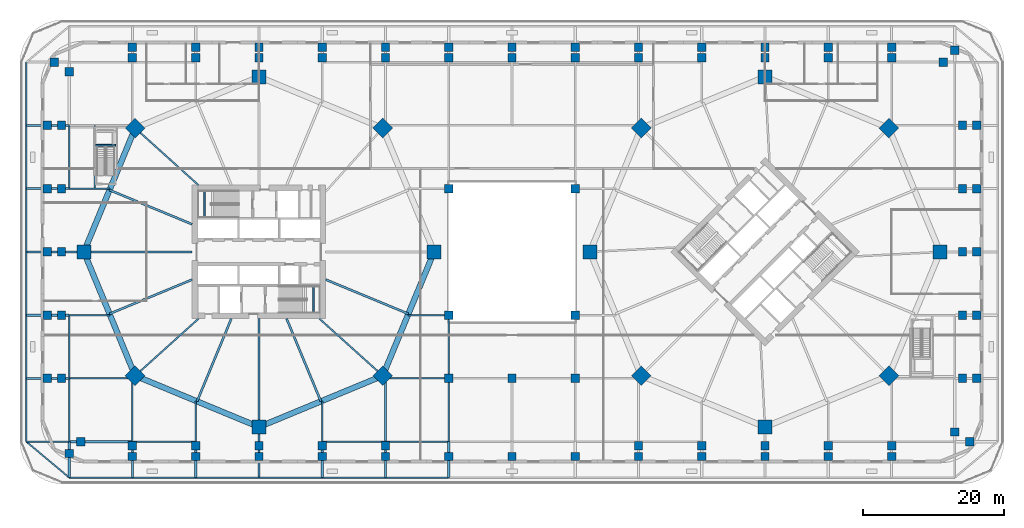
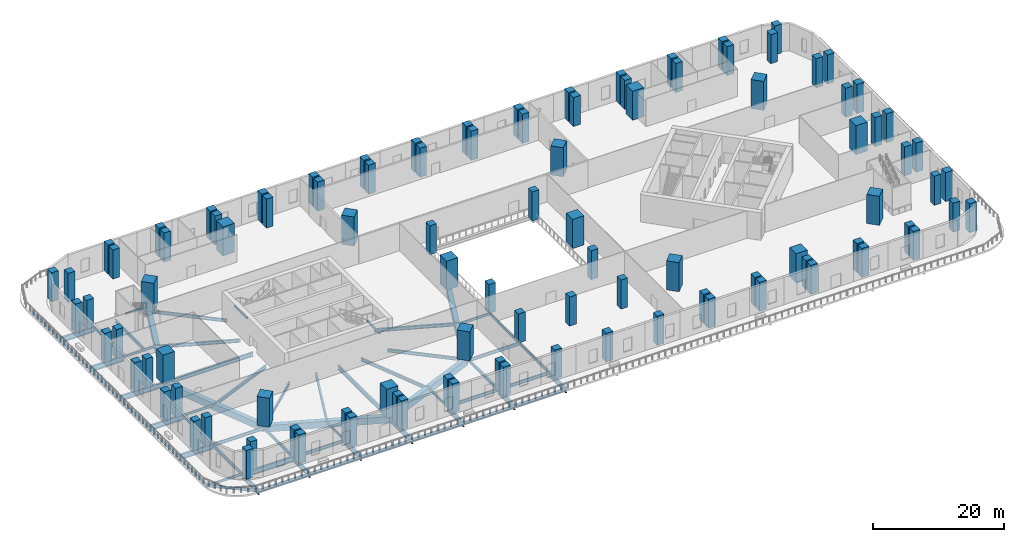
# One storey, part 1 of 19: 100 columns, 63 beams.
"""IFC4 building model written with IfcOpenShell, lengths in metres."""

import ifcopenshell
import ifcopenshell.guid

model = None  # the IFC model being written
_history = None  # IfcOwnerHistory: only IFC2X3 demands one
_inside = {}  # id of a spatial element -> (the spatial element, [elements in it])
_under = {}  # id of a project, library or spatial element -> (it, [spatial elements below it])
_declared = {}  # id of a project -> (the project, [libraries it declares])
_typed = {}  # id of a type object -> (the type object, [elements of that type])
_made_of = {}  # id of a material, layer set ... -> (it, [elements and type objects made of it])


def new_model(schema):
    """Start an empty IFC model of exactly this schema.

    Asked for "IFC4X3", IfcOpenShell would pick the latest addendum, in which some entities
    have other attributes; the version numbers below select the first issue.
    IFC2X3 requires an IfcOwnerHistory on every rooted entity: one is made here for all.
    """
    global model, _history
    if schema == "IFC4X3":
        model = ifcopenshell.file(schema_version=(4, 3, 0, 0))
    else:
        model = ifcopenshell.file(schema=schema)
    _inside.clear()
    _under.clear()
    _declared.clear()
    _typed.clear()
    _made_of.clear()
    _history = None
    if model.schema == "IFC2X3":
        org = make("IfcOrganization", Name="unknown")
        user = make(
            "IfcPersonAndOrganization",
            ThePerson=make("IfcPerson", FamilyName="unknown"),
            TheOrganization=org,
        )
        app = make(
            "IfcApplication",
            ApplicationDeveloper=org,
            Version="unknown",
            ApplicationFullName="unknown",
            ApplicationIdentifier="unknown",
        )
        _history = make(
            "IfcOwnerHistory",
            OwningUser=user,
            OwningApplication=app,
            ChangeAction="ADDED",
            CreationDate=0,
        )
    return model


def make(cls, **values):
    """One entity of the class cls with the attributes given. An attribute that is None is left unset."""
    return model.create_entity(
        cls, **{name: value for name, value in values.items() if value is not None}
    )


def rooted(cls, **values):
    """An entity with a GlobalId (a new one), such as an element, a storey or a relation."""
    return make(cls, GlobalId=ifcopenshell.guid.new(), OwnerHistory=_history, **values)


def si_unit(unit_type, name, prefix=None):
    """IfcSIUnit, for example si_unit("LENGTHUNIT", "METRE", prefix="MILLI")."""
    return make("IfcSIUnit", UnitType=unit_type, Prefix=prefix, Name=name)


def assignment(units):
    """IfcUnitAssignment: the units of a project."""
    return None if units is None else make("IfcUnitAssignment", Units=units)


def point(xyz):
    """IfcCartesianPoint."""
    return None if xyz is None else make("IfcCartesianPoint", Coordinates=xyz)


def direction(xyz):
    """IfcDirection."""
    return None if xyz is None else make("IfcDirection", DirectionRatios=xyz)


def frame(location, z_axis=None, x_axis=None):
    """IfcAxis2Placement3D, a coordinate frame: its origin and axes. An axis left out is left unset."""
    return make(
        "IfcAxis2Placement3D",
        Location=point(location),
        Axis=direction(z_axis),
        RefDirection=direction(x_axis),
    )


def frame_2d(location, x_axis=None):
    """IfcAxis2Placement2D, a coordinate frame in the plane: its origin and x axis."""
    return make(
        "IfcAxis2Placement2D", Location=point(location), RefDirection=direction(x_axis)
    )


def origin():
    """The frame at (0, 0, 0) with its axes left unset."""
    return frame((0.0, 0.0, 0.0))


def origin_2d():
    """The frame at (0, 0) in the plane with its x axis left unset."""
    return frame_2d((0.0, 0.0))


def place(relative_to, where):
    """IfcLocalPlacement: puts the frame where relative to a parent placement (None: the world)."""
    return make(
        "IfcLocalPlacement", PlacementRelTo=relative_to, RelativePlacement=where
    )


def context(
    kind, dimensions, precision=None, world=None, true_north=None, identifier=None
):
    """IfcGeometricRepresentationContext, for example the 3D "Model" context."""
    return make(
        "IfcGeometricRepresentationContext",
        ContextIdentifier=identifier,
        ContextType=kind,
        CoordinateSpaceDimension=dimensions,
        Precision=precision,
        WorldCoordinateSystem=world,
        TrueNorth=true_north,
    )


def subcontext(parent, identifier, kind, view, scale=None):
    """IfcGeometricRepresentationSubContext, for example "Body" below "Model"."""
    return make(
        "IfcGeometricRepresentationSubContext",
        ContextIdentifier=identifier,
        ContextType=kind,
        ParentContext=parent,
        TargetScale=scale,
        TargetView=view,
    )


def project(units=None, contexts=None):
    """IfcProject with its units and contexts."""
    return rooted(
        "IfcProject",
        Name="project",
        RepresentationContexts=contexts,
        UnitsInContext=assignment(units),
    )


def spatial(cls, under=None, at=None, **own):
    """A site, building, storey or space (cls), placed at a placement, below another one or the project."""
    s = rooted(cls, ObjectPlacement=at, **own)
    if under is not None:
        _under.setdefault(under.id(), (under, []))[1].append(s)
    return s


def profile(cls, at=None, kind="AREA", **sizes):
    """A parametric profile (cls). Its sizes go by their IFC names, for example OverallWidth=200.0."""
    return make(cls, ProfileType=kind, Position=at, **sizes)


def rectangle(**sizes):
    """IfcRectangleProfileDef."""
    return profile("IfcRectangleProfileDef", **sizes)


def hollow_rectangle(**sizes):
    """IfcRectangleHollowProfileDef."""
    return profile("IfcRectangleHollowProfileDef", **sizes)


def i_section(**sizes):
    """IfcIShapeProfileDef."""
    return profile("IfcIShapeProfileDef", **sizes)


def extrude(swept, where, along, depth):
    """IfcExtrudedAreaSolid: the profile swept, set in the frame where, extruded along a direction by depth."""
    return make(
        "IfcExtrudedAreaSolid",
        SweptArea=swept,
        Position=where,
        ExtrudedDirection=direction(along),
        Depth=depth,
    )


def shape(context_of_items, identifier, shape_type, items):
    """IfcShapeRepresentation: the items that make up one representation, for example the "Body"."""
    return make(
        "IfcShapeRepresentation",
        ContextOfItems=context_of_items,
        RepresentationIdentifier=identifier,
        RepresentationType=shape_type,
        Items=items,
    )


def material(Name=None, Category=None):
    """IfcMaterial."""
    return make("IfcMaterial", Name=Name, Category=Category)


def material_profile(
    of_material, cross_section, Name=None, Category=None, Priority=None
):
    """IfcMaterialProfile: a cross section and its material."""
    return make(
        "IfcMaterialProfile",
        Name=Name,
        Material=of_material,
        Profile=cross_section,
        Priority=Priority,
        Category=Category,
    )


def profile_set(profiles, Name=None, composite=None):
    """IfcMaterialProfileSet."""
    return make(
        "IfcMaterialProfileSet",
        Name=Name,
        MaterialProfiles=profiles,
        CompositeProfile=composite,
    )


def made_of(thing, what):
    """Note that an element or type object is made of a material, layer set ...; save() writes the relation."""
    if what is not None:
        _made_of.setdefault(what.id(), (what, []))[1].append(thing)
    return thing


def type_object(cls, material=None, **own):
    """A type object (cls), such as IfcWallType, which elements share."""
    return made_of(rooted(cls, **own), material)


def element(
    cls,
    number,
    at=None,
    inside=None,
    cuts=None,
    type_object=None,
    material=None,
    context=None,
    identifier="Body",
    shape_type=None,
    held_by="IfcProductDefinitionShape",
    body=None,
    shapes=None,
    **own,
):
    """One element of the class cls, such as IfcWall. Its Tag is "e" and its number.

    at: its placement. inside: the storey or other place that contains it. cuts: it is an
    opening in that element (IfcRelVoidsElement). A single representation is given by context,
    identifier, shape_type and body (its items); several are given by shapes. held_by: the class
    of the entity that holds the representations. save() writes the other relations.
    """
    e = rooted(cls, Tag="e%d" % number, ObjectPlacement=at, **own)
    if body is not None:
        shapes = [shape(context, identifier, shape_type, body)]
    if shapes is not None:
        e.Representation = make(held_by, Representations=shapes)
    if inside is not None:
        _inside.setdefault(inside.id(), (inside, []))[1].append(e)
    if cuts is not None:
        rooted(
            "IfcRelVoidsElement", RelatingBuildingElement=cuts, RelatedOpeningElement=e
        )
    if type_object is not None:
        _typed.setdefault(type_object.id(), (type_object, []))[1].append(e)
    return made_of(e, material)


def aggregate(whole, parts):
    """IfcRelAggregates: a whole, such as a stair, and the parts it consists of."""
    return rooted("IfcRelAggregates", RelatingObject=whole, RelatedObjects=parts)


def save(model, path):
    """Write the relations noted so far, then the file.

    IfcRelAggregates (storeys below a building ...), IfcRelContainedInSpatialStructure (elements
    in a storey), IfcRelDefinesByType, IfcRelAssociatesMaterial and IfcRelDeclares: one each for
    every whole, place, type object, material and project.
    """
    for whole, parts in _under.values():
        aggregate(whole, parts)
    for where, things in _inside.values():
        rooted(
            "IfcRelContainedInSpatialStructure",
            RelatedElements=things,
            RelatingStructure=where,
        )
    for kind, things in _typed.values():
        rooted("IfcRelDefinesByType", RelatedObjects=things, RelatingType=kind)
    for what, things in _made_of.values():
        rooted("IfcRelAssociatesMaterial", RelatedObjects=things, RelatingMaterial=what)
    for by, libraries in _declared.values():
        rooted("IfcRelDeclares", RelatingContext=by, RelatedDefinitions=libraries)
    model.write(path)


model = new_model("IFC4")

# Units and contexts
model_context = context("Model", 3, precision=1e-05, world=origin(), true_north=direction((0.0, 1.0)))
body_context = subcontext(model_context, "Body", "Model", "MODEL_VIEW")
ifc_project = project(units=[si_unit("LENGTHUNIT", "METRE"), si_unit("AREAUNIT", "SQUARE_METRE"), si_unit("VOLUMEUNIT", "CUBIC_METRE"), si_unit("PLANEANGLEUNIT", "RADIAN"), si_unit("MASSUNIT", "GRAM", prefix="KILO")], contexts=[model_context])

# Site, building, storey
site_placement = place(None, origin())
site = spatial("IfcSite", under=ifc_project, at=site_placement, CompositionType="ELEMENT")
building_placement = place(site_placement, origin())
building = spatial("IfcBuilding", under=site, at=building_placement, Name="Ogive Gate Towers", CompositionType="ELEMENT")
storey_placement = place(building_placement, frame((0.0, 0.0, 12.60009765625)))
storey = spatial("IfcBuildingStorey", under=building, at=storey_placement, Name="L02", CompositionType="ELEMENT", Elevation=12.60009765625)

# Columns
ifc_material_1 = material(Name="Concrete C50/60", Category="concrete")
ifc_material_profile_1 = material_profile(ifc_material_1, rectangle(XDim=1.199951171875, YDim=1.199951171875, at=origin_2d()), Name="RC 1200x1200")
ifc_profile_set_1 = profile_set([ifc_material_profile_1], Name="Concrete C50/60")
column_type_1 = type_object("IfcColumnType", Name="Column RC 1200x1200", PredefinedType="COLUMN", material=ifc_profile_set_1)
for number, where, z_axis, x_axis, name in (
    (1, (-66.10009765625, -18.0, 0.0), (0.0, 0.0, 1.0), (1.0, 0.0, 0.0), "PD/L02/SCL001"),
    (2, (-66.10009765625, -9.0, 0.0), (0.0, 0.0, 1.0), (1.0, 0.0, 0.0), "PD/L02/SCL002"),
    (3, (-66.10009765625, 0.0, 0.0), (0.0, 0.0, 1.0), (1.0, 0.0, 0.0), "PD/L02/SCL003"),
    (4, (-66.10009765625, 9.0, 0.0), (0.0, 0.0, 1.0), (1.0, 0.0, 0.0), "PD/L02/SCL004"),
    (5, (-66.10009765625, 18.0, 0.0), (0.0, 0.0, 1.0), (1.0, 0.0, 0.0), "PD/L02/SCL005"),
    (6, (-65.09814453125, 27.0, 0.0), (0.0, 0.0, 1.0), (1.0, 0.0, 0.0), "PD/L02/SCL006"),
    (7, (-64.10009765625, -18.0, 0.0), (0.0, 0.0, 1.0), (1.0, 0.0, 0.0), "PD/L02/SCL007"),
    (8, (-64.10009765625, -9.0, 0.0), (0.0, 0.0, 1.0), (1.0, 0.0, 0.0), "PD/L02/SCL008"),
    (9, (-64.10009765625, 0.0, 0.0), (0.0, 0.0, 1.0), (1.0, 0.0, 0.0), "PD/L02/SCL009"),
    (10, (-64.10009765625, 9.0, 0.0), (0.0, 0.0, 1.0), (1.0, 0.0, 0.0), "PD/L02/SCL010"),
    (11, (-64.10009765625, 18.0, 0.0), (0.0, 0.0, 1.0), (1.0, 0.0, 0.0), "PD/L02/SCL011"),
    (12, (-63.0, -28.680908203125, 0.0), (0.0, 0.0, 1.0), (1.0, 0.0, 0.0), "PD/L02/SCL012"),
    (13, (-63.0, 25.61962890625, 0.0), (0.0, 0.0, 1.0), (1.0, 0.0, 0.0), "PD/L02/SCL013"),
    (14, (-61.338623046875, -27.0, 0.0), (0.0, 0.0, 1.0), (1.0, 0.0, 0.0), "PD/L02/SCL014"),
    (15, (-54.0, -29.10009765625, 0.0), (0.0, 0.0, 1.0), (1.0, 0.0, 0.0), "PD/L02/SCL015"),
    (16, (-54.0, -27.60009765625, 0.0), (0.0, 0.0, 1.0), (1.0, 0.0, 0.0), "PD/L02/SCL016"),
    (17, (-54.0, 27.60009765625, 0.0), (0.0, 0.0, 1.0), (1.0, 0.0, 0.0), "PD/L02/SCL017"),
    (18, (-54.0, 29.10009765625, 0.0), (0.0, 0.0, 1.0), (1.0, 0.0, 0.0), "PD/L02/SCL018"),
    (19, (-45.0, -29.10009765625, 0.0), (0.0, 0.0, 1.0), (1.0, 0.0, 0.0), "PD/L02/SCL019"),
    (20, (-45.0, -27.60009765625, 0.0), (0.0, 0.0, 1.0), (1.0, 0.0, 0.0), "PD/L02/SCL020"),
    (21, (-45.0, 27.60009765625, 0.0), (0.0, 0.0, 1.0), (1.0, 0.0, 0.0), "PD/L02/SCL021"),
    (22, (-45.0, 29.10009765625, 0.0), (0.0, 0.0, 1.0), (1.0, 0.0, 0.0), "PD/L02/SCL022"),
    (23, (-36.0, -29.10009765625, 0.0), (0.0, 0.0, 1.0), (1.0, 0.0, 0.0), "PD/L02/SCL023"),
    (24, (-36.0, -27.60009765625, 0.0), (0.0, 0.0, 1.0), (1.0, 0.0, 0.0), "PD/L02/SCL024"),
    (25, (-36.0, 27.60009765625, 0.0), (0.0, 0.0, 1.0), (1.0, 0.0, 0.0), "PD/L02/SCL025"),
    (26, (-36.0, 29.10009765625, 0.0), (0.0, 0.0, 1.0), (1.0, 0.0, 0.0), "PD/L02/SCL026"),
    (27, (-27.0, -29.10009765625, 0.0), (0.0, 0.0, 1.0), (1.0, 0.0, 0.0), "PD/L02/SCL027"),
    (28, (-27.0, -27.60009765625, 0.0), (0.0, 0.0, 1.0), (1.0, 0.0, 0.0), "PD/L02/SCL028"),
    (29, (-27.0, 27.60009765625, 0.0), (0.0, 0.0, 1.0), (1.0, 0.0, 0.0), "PD/L02/SCL029"),
    (30, (-27.0, 29.10009765625, 0.0), (0.0, 0.0, 1.0), (1.0, 0.0, 0.0), "PD/L02/SCL030"),
    (31, (-18.0, -29.10009765625, 0.0), (0.0, 0.0, 1.0), (1.0, 0.0, 0.0), "PD/L02/SCL031"),
    (32, (-18.0, -27.60009765625, 0.0), (0.0, 0.0, 1.0), (1.0, 0.0, 0.0), "PD/L02/SCL032"),
    (33, (-18.0, 27.60009765625, 0.0), (0.0, 0.0, 1.0), (1.0, 0.0, 0.0), "PD/L02/SCL033"),
    (34, (-18.0, 29.10009765625, 0.0), (0.0, 0.0, 1.0), (1.0, 0.0, 0.0), "PD/L02/SCL034"),
    (35, (-9.0, -29.10009765625, 0.0), (0.0, 0.0, 1.0), (1.0, 0.0, 0.0), "PD/L02/SCL035"),
    (36, (-9.0, -18.0, 0.0), (0.0, 0.0, 1.0), (1.0, 0.0, 0.0), "PD/L02/SCL036"),
    (37, (-9.0, -9.0, 0.0), (0.0, 0.0, 1.0), (1.0, 0.0, 0.0), "PD/L02/SCL037"),
    (38, (-9.0, 9.0, 0.0), (0.0, 0.0, 1.0), (1.0, 0.0, 0.0), "PD/L02/SCL038"),
    (39, (-9.0, 27.60009765625, 0.0), (0.0, 0.0, 1.0), (1.0, 0.0, 0.0), "PD/L02/SCL039"),
    (40, (-9.0, 29.10009765625, 0.0), (0.0, 0.0, 1.0), (1.0, 0.0, 0.0), "PD/L02/SCL040"),
    (41, (0.0, -29.10009765625, 0.0), (0.0, 0.0, 1.0), (1.0, 0.0, 0.0), "PD/L02/SCL041"),
    (42, (0.0, -18.0, 0.0), (0.0, 0.0, 1.0), (1.0, 0.0, 0.0), "PD/L02/SCL042"),
    (43, (0.0, 27.60009765625, 0.0), (0.0, 0.0, 1.0), (1.0, 0.0, 0.0), "PD/L02/SCL043"),
    (44, (0.0, 29.10009765625, 0.0), (0.0, 0.0, 1.0), (1.0, 0.0, 0.0), "PD/L02/SCL044"),
    (45, (9.0, -29.10009765625, 0.0), (0.0, 0.0, 1.0), (1.0, 0.0, 0.0), "PD/L02/SCL045"),
    (46, (9.0, -18.0, 0.0), (0.0, 0.0, 1.0), (1.0, 0.0, 0.0), "PD/L02/SCL046"),
    (47, (9.0, -9.0, 0.0), (0.0, 0.0, 1.0), (1.0, 0.0, 0.0), "PD/L02/SCL047"),
    (48, (9.0, 9.0, 0.0), (0.0, 0.0, 1.0), (1.0, 0.0, 0.0), "PD/L02/SCL048"),
    (49, (9.0, 27.60009765625, 0.0), (0.0, 0.0, 1.0), (1.0, 0.0, 0.0), "PD/L02/SCL049"),
    (50, (9.0, 29.10009765625, 0.0), (0.0, 0.0, 1.0), (1.0, 0.0, 0.0), "PD/L02/SCL050"),
    (51, (18.0, -29.10009765625, 0.0), (0.0, 0.0, 1.0), (1.0, 0.0, 0.0), "PD/L02/SCL051"),
    (52, (18.0, -27.60009765625, 0.0), (0.0, 0.0, 1.0), (1.0, 0.0, 0.0), "PD/L02/SCL052"),
    (53, (18.0, 27.60009765625, 0.0), (0.0, 0.0, 1.0), (1.0, 0.0, 0.0), "PD/L02/SCL053"),
    (54, (18.0, 29.10009765625, 0.0), (0.0, 0.0, 1.0), (1.0, 0.0, 0.0), "PD/L02/SCL054"),
    (55, (27.0, -29.10009765625, 0.0), (0.0, 0.0, 1.0), (1.0, 0.0, 0.0), "PD/L02/SCL055"),
    (56, (27.0, -27.60009765625, 0.0), (0.0, 0.0, 1.0), (1.0, 0.0, 0.0), "PD/L02/SCL056"),
    (57, (27.0, 27.60009765625, 0.0), (0.0, 0.0, 1.0), (1.0, 0.0, 0.0), "PD/L02/SCL057"),
    (58, (27.0, 29.10009765625, 0.0), (0.0, 0.0, 1.0), (1.0, 0.0, 0.0), "PD/L02/SCL058"),
    (59, (36.0, -29.10009765625, 0.0), (0.0, 0.0, 1.0), (1.0, 0.0, 0.0), "PD/L02/SCL059"),
    (60, (36.0, -27.60009765625, 0.0), (0.0, 0.0, 1.0), (1.0, 0.0, 0.0), "PD/L02/SCL060"),
    (61, (36.0, 27.60009765625, 0.0), (0.0, 0.0, 1.0), (1.0, 0.0, 0.0), "PD/L02/SCL061"),
    (62, (36.0, 29.10009765625, 0.0), (0.0, 0.0, 1.0), (1.0, 0.0, 0.0), "PD/L02/SCL062"),
    (63, (45.0, -29.10009765625, 0.0), (0.0, 0.0, 1.0), (1.0, 0.0, 0.0), "PD/L02/SCL063"),
    (64, (45.0, -27.60009765625, 0.0), (0.0, 0.0, 1.0), (1.0, 0.0, 0.0), "PD/L02/SCL064"),
    (65, (45.0, 27.60009765625, 0.0), (0.0, 0.0, 1.0), (1.0, 0.0, 0.0), "PD/L02/SCL065"),
    (66, (45.0, 29.10009765625, 0.0), (0.0, 0.0, 1.0), (1.0, 0.0, 0.0), "PD/L02/SCL066"),
    (67, (54.0, -29.10009765625, 0.0), (0.0, 0.0, 1.0), (1.0, 0.0, 0.0), "PD/L02/SCL067"),
    (68, (54.0, -27.60009765625, 0.0), (0.0, 0.0, 1.0), (1.0, 0.0, 0.0), "PD/L02/SCL068"),
    (69, (54.0, 27.60009765625, 0.0), (0.0, 0.0, 1.0), (1.0, 0.0, 0.0), "PD/L02/SCL069"),
    (70, (54.0, 29.10009765625, 0.0), (0.0, 0.0, 1.0), (1.0, 0.0, 0.0), "PD/L02/SCL070"),
    (71, (61.338623046875, 27.0, 0.0), (0.0, 0.0, 1.0), (1.0, 0.0, 0.0), "PD/L02/SCL071"),
    (72, (63.0, -25.61962890625, 0.0), (0.0, 0.0, 1.0), (1.0, 0.0, 0.0), "PD/L02/SCL072"),
    (73, (63.0, 28.680908203125, 0.0), (0.0, 0.0, 1.0), (1.0, 0.0, 0.0), "PD/L02/SCL073"),
    (74, (64.10009765625, -18.0, 0.0), (0.0, 0.0, 1.0), (1.0, 0.0, 0.0), "PD/L02/SCL074"),
    (75, (64.10009765625, -9.0, 0.0), (0.0, 0.0, 1.0), (1.0, 0.0, 0.0), "PD/L02/SCL075"),
    (76, (64.10009765625, 0.0, 0.0), (0.0, 0.0, 1.0), (1.0, 0.0, 0.0), "PD/L02/SCL076"),
    (77, (64.10009765625, 9.0, 0.0), (0.0, 0.0, 1.0), (1.0, 0.0, 0.0), "PD/L02/SCL077"),
    (78, (64.10009765625, 18.0, 0.0), (0.0, 0.0, 1.0), (1.0, 0.0, 0.0), "PD/L02/SCL078"),
    (79, (65.09814453125, -27.0, 0.0), (0.0, 0.0, 1.0), (1.0, 0.0, 0.0), "PD/L02/SCL079"),
    (80, (66.10009765625, -18.0, 0.0), (0.0, 0.0, 1.0), (1.0, 0.0, 0.0), "PD/L02/SCL080"),
    (81, (66.10009765625, -9.0, 0.0), (0.0, 0.0, 1.0), (1.0, 0.0, 0.0), "PD/L02/SCL081"),
    (82, (66.10009765625, 0.0, 0.0), (0.0, 0.0, 1.0), (1.0, 0.0, 0.0), "PD/L02/SCL082"),
    (83, (66.10009765625, 9.0, 0.0), (0.0, 0.0, 1.0), (1.0, 0.0, 0.0), "PD/L02/SCL083"),
    (84, (66.10009765625, 18.0, 0.0), (0.0, 0.0, 1.0), (1.0, 0.0, 0.0), "PD/L02/SCL084"),
):
    element("IfcColumn", number, at=place(storey_placement, frame(where, z_axis=z_axis, x_axis=x_axis)), inside=storey, type_object=column_type_1, Name=name, PredefinedType="COLUMN", context=body_context, shape_type="SweptSolid", body=[
        extrude(rectangle(XDim=1.199951171875, YDim=1.199951171875, at=origin_2d()), origin(), (0.0, 0.0, 1.0), 5.39990234375),
    ])
ifc_material_2 = material(Name="Concrete C70/85", Category="concrete")
ifc_material_profile_2 = material_profile(ifc_material_2, rectangle(XDim=2.0, YDim=2.0, at=origin_2d()), Name="RC 2000x2000")
ifc_profile_set_2 = profile_set([ifc_material_profile_2], Name="Concrete C70/85")
column_type_2 = type_object("IfcColumnType", Name="Mega column 2000 x 2000", PredefinedType="COLUMN", material=ifc_profile_set_2)
for number, where, z_axis, x_axis, name in (
    (85, (-11.090087890625, 0.0, 0.0), (0.0, 0.0, 1.0), (1.0, 0.0, 0.0), "T1/L02/SCL001"),
    (86, (-18.385986328125, 17.614013671875, 0.0), (0.0, 0.0, 1.0), (0.707106781187, 0.707106781187, 0.0), "T1/L02/SCL002"),
    (87, (-36.0, 24.909912109375, 0.0), (0.0, 0.0, 1.0), (0.0, 1.0, 0.0), "T1/L02/SCL003"),
    (88, (-53.614013671875, 17.614013671875, 0.0), (0.0, 0.0, 1.0), (-0.707106781187, 0.707106781187, 0.0), "T1/L02/SCL004"),
    (89, (-60.909912109375, 0.0, 0.0), (0.0, 0.0, 1.0), (-1.0, 0.0, 0.0), "T1/L02/SCL005"),
    (90, (-53.614013671875, -17.614013671875, 0.0), (0.0, 0.0, 1.0), (-0.707106781187, -0.707106781187, 0.0), "T1/L02/SCL006"),
    (91, (-36.0, -24.909912109375, 0.0), (0.0, 0.0, 1.0), (0.0, -1.0, 0.0), "T1/L02/SCL007"),
    (92, (-18.385986328125, -17.614013671875, 0.0), (0.0, 0.0, 1.0), (0.707106781187, -0.707106781187, 0.0), "T1/L02/SCL008"),
    (93, (60.909912109375, 0.0, 0.0), (0.0, 0.0, 1.0), (1.0, 0.0, 0.0), "T2/L02/SCL001"),
    (94, (53.614013671875, 17.614013671875, 0.0), (0.0, 0.0, 1.0), (0.707106781187, 0.707106781187, 0.0), "T2/L02/SCL002"),
    (95, (36.0, 24.909912109375, 0.0), (0.0, 0.0, 1.0), (0.0, 1.0, 0.0), "T2/L02/SCL003"),
    (96, (18.385986328125, 17.614013671875, 0.0), (0.0, 0.0, 1.0), (-0.707106781187, 0.707106781187, 0.0), "T2/L02/SCL004"),
    (97, (11.090087890625, 0.0, 0.0), (0.0, 0.0, 1.0), (-1.0, 0.0, 0.0), "T2/L02/SCL005"),
    (98, (18.385986328125, -17.614013671875, 0.0), (0.0, 0.0, 1.0), (-0.707106781187, -0.707106781187, 0.0), "T2/L02/SCL006"),
    (99, (36.0, -24.909912109375, 0.0), (0.0, 0.0, 1.0), (0.0, -1.0, 0.0), "T2/L02/SCL007"),
    (100, (53.614013671875, -17.614013671875, 0.0), (0.0, 0.0, 1.0), (0.707106781187, -0.707106781187, 0.0), "T2/L02/SCL008"),
):
    element("IfcColumn", number, at=place(storey_placement, frame(where, z_axis=z_axis, x_axis=x_axis)), inside=storey, type_object=column_type_2, Name=name, PredefinedType="COLUMN", context=body_context, shape_type="SweptSolid", body=[
        extrude(rectangle(XDim=2.0, YDim=2.0, at=origin_2d()), origin(), (0.0, 0.0, 1.0), 5.39990234375),
    ])

# Beams
ifc_material_3 = material(Name="Steel SM460", Category="steel")
ifc_material_profile_3 = material_profile(ifc_material_3, hollow_rectangle(XDim=0.800048828125, YDim=1.199951171875, WallThickness=0.050048828125, at=origin_2d()), Name="BX 1200x800x50")
ifc_profile_set_3 = profile_set([ifc_material_profile_3], Name="Steel SM460")
beam_type_1 = type_object("IfcBeamType", Name="Edge girder BX 1200x800x50", PredefinedType="BEAM", material=ifc_profile_set_3)
for number, where, z_axis, x_axis, name in (
    (101, (-53.614013671875, -17.614013671875, -0.900146484375), (0.923880736283, -0.382680526191, 0.0), (0.382680526191, 0.923880736283, 0.0), "T1/L02/SBM017"),
    (102, (-36.0, -24.909912109375, -0.900146484375), (0.923880736283, 0.382680526191, 0.0), (-0.382680526191, 0.923880736283, 0.0), "T1/L02/SBM018"),
    (103, (-18.385986328125, -17.614013671875, -0.900146484375), (0.382680526191, 0.923880736283, 0.0), (-0.923880736283, 0.382680526191, 0.0), "T1/L02/SBM019"),
    (104, (-53.614013671875, 17.614013671875, -0.900146484375), (-0.382680526191, -0.923880736283, 0.0), (0.923880736283, -0.382680526191, 0.0), "T1/L02/SBM023"),
    (105, (-60.909912109375, 0.0, -0.900146484375), (0.382680526191, -0.923880736283, 0.0), (0.923880736283, 0.382680526191, 0.0), "T1/L02/SBM024"),
):
    element("IfcBeam", number, at=place(storey_placement, frame(where, z_axis=z_axis, x_axis=x_axis)), inside=storey, type_object=beam_type_1, Name=name, PredefinedType="BEAM", context=body_context, shape_type="SweptSolid", body=[
        extrude(hollow_rectangle(XDim=0.800048828125, YDim=1.199951171875, WallThickness=0.050048828125, at=origin_2d()), origin(), (0.0, 0.0, 1.0), 19.065185546875),
    ])
ifc_material_4 = material(Name="Steel SM355", Category="steel")
ifc_material_profile_4 = material_profile(ifc_material_4, i_section(OverallWidth=0.18994140625, OverallDepth=0.449951171875, WebThickness=0.009521484375, FlangeThickness=0.0146484375, FilletRadius=0.02099609375, at=origin_2d()), Name="IPE 450")
ifc_profile_set_4 = profile_set([ifc_material_profile_4], Name="Steel SM355")
beam_type_2 = type_object("IfcBeamType", Name="Floor beam IPE 450", PredefinedType="BEAM", material=ifc_profile_set_4)
beam_1_placement = place(storey_placement, frame((-69.095703125, -27.0, -0.525146484375), z_axis=(1.0, 0.0, 0.0), x_axis=(0.0, 1.0, 0.0)))
element("IfcBeam", 106, at=beam_1_placement, inside=storey, type_object=beam_type_2, Name="PD/L02/SBM071", PredefinedType="BEAM", context=body_context, shape_type="SweptSolid", body=[
    extrude(i_section(OverallWidth=0.18994140625, OverallDepth=0.449951171875, WebThickness=0.009521484375, FlangeThickness=0.0146484375, FilletRadius=0.02099609375, at=origin_2d()), origin(), (0.0, 0.0, 1.0), 6.095703125),
])
for number, where, z_axis, x_axis, name in (
    (107, (-63.0, -9.0, -0.525146484375), (1.0, 0.0, 0.0), (0.0, 1.0, 0.0), "PD/L02/SBM147"),
    (108, (-63.0, 9.0, -0.525146484375), (1.0, 0.0, 0.0), (0.0, 1.0, 0.0), "PD/L02/SBM148"),
    (109, (-45.0, -27.0, -0.525146484375), (0.0, 1.0, 0.0), (-1.0, 0.0, 0.0), "PD/L02/SBM149"),
    (110, (-27.0, -27.0, -0.525146484375), (0.0, 1.0, 0.0), (-1.0, 0.0, 0.0), "PD/L02/SBM151"),
    (111, (-9.0, -9.0, -0.525146484375), (-1.0, 0.0, 0.0), (0.0, -1.0, 0.0), "PD/L02/SBM153"),
):
    element("IfcBeam", number, at=place(storey_placement, frame(where, z_axis=z_axis, x_axis=x_axis)), inside=storey, type_object=beam_type_2, Name=name, PredefinedType="BEAM", context=body_context, shape_type="SweptSolid", body=[
        extrude(i_section(OverallWidth=0.18994140625, OverallDepth=0.449951171875, WebThickness=0.009521484375, FlangeThickness=0.0146484375, FilletRadius=0.02099609375, at=origin_2d()), origin(), (0.0, 0.0, 1.0), 5.81787109375),
    ])
ifc_material_profile_5 = material_profile(ifc_material_4, i_section(OverallWidth=0.199951171875, OverallDepth=0.5, WebThickness=0.01025390625, FlangeThickness=0.01611328125, FilletRadius=0.02099609375, at=origin_2d()), Name="IPE 500")
ifc_profile_set_5 = profile_set([ifc_material_profile_5], Name="Steel SM355")
beam_type_3 = type_object("IfcBeamType", Name="Floor beam IPE 500", PredefinedType="BEAM", material=ifc_profile_set_5)
beam_2_placement = place(storey_placement, frame((-63.0, -32.10009765625, -0.550048828125), z_axis=(-0.766960869865, 0.641693871014, 0.0), x_axis=(-0.641693871014, -0.766960869865, 0.0)))
element("IfcBeam", 112, at=beam_2_placement, inside=storey, type_object=beam_type_3, Name="PD/L02/SBM117", PredefinedType="BEAM", context=body_context, shape_type="SweptSolid", body=[
    extrude(i_section(OverallWidth=0.199951171875, OverallDepth=0.5, WebThickness=0.01025390625, FlangeThickness=0.01611328125, FilletRadius=0.02099609375, at=origin_2d()), origin(), (0.0, 0.0, 1.0), 7.94775390625),
])
ifc_material_profile_6 = material_profile(ifc_material_4, i_section(OverallWidth=0.219970703125, OverallDepth=0.60009765625, WebThickness=0.011962890625, FlangeThickness=0.01904296875, FilletRadius=0.02392578125, at=origin_2d()), Name="IPE 600")
ifc_profile_set_6 = profile_set([ifc_material_profile_6], Name="Steel SM355")
beam_type_4 = type_object("IfcBeamType", Name="Floor beam IPE 600", PredefinedType="BEAM", material=ifc_profile_set_6)
for number, where, z_axis, x_axis, name in (
    (113, (-63.0, -27.0, -0.60009765625), (0.0, 1.0, 0.0), (-1.0, 0.0, 0.0), "PD/L02/SBM045"),
    (114, (-63.0, -18.0, -0.60009765625), (0.0, 1.0, 0.0), (-1.0, 0.0, 0.0), "PD/L02/SBM046"),
    (115, (-63.0, 9.0, -0.60009765625), (0.0, 1.0, 0.0), (-1.0, 0.0, 0.0), "PD/L02/SBM047"),
):
    element("IfcBeam", number, at=place(storey_placement, frame(where, z_axis=z_axis, x_axis=x_axis)), inside=storey, type_object=beam_type_4, Name=name, PredefinedType="BEAM", context=body_context, shape_type="SweptSolid", body=[
        extrude(i_section(OverallWidth=0.219970703125, OverallDepth=0.60009765625, WebThickness=0.011962890625, FlangeThickness=0.01904296875, FilletRadius=0.02392578125, at=origin_2d()), origin(), (0.0, 0.0, 1.0), 9.0),
    ])
for number, where, z_axis, x_axis, name in (
    (116, (-54.0, -27.0, -0.60009765625), (0.0, 1.0, 0.0), (-1.0, 0.0, 0.0), "PD/L02/SBM049"),
    (117, (-18.0, -27.0, -0.60009765625), (0.0, 1.0, 0.0), (-1.0, 0.0, 0.0), "PD/L02/SBM051"),
):
    element("IfcBeam", number, at=place(storey_placement, frame(where, z_axis=z_axis, x_axis=x_axis)), inside=storey, type_object=beam_type_4, Name=name, PredefinedType="BEAM", context=body_context, shape_type="SweptSolid", body=[
        extrude(i_section(OverallWidth=0.219970703125, OverallDepth=0.60009765625, WebThickness=0.011962890625, FlangeThickness=0.01904296875, FilletRadius=0.02392578125, at=origin_2d()), origin(), (0.0, 0.0, 1.0), 9.385986328125),
    ])
for number, where, z_axis, x_axis, name in (
    (118, (-9.0, -27.0, -0.60009765625), (0.0, 1.0, 0.0), (-1.0, 0.0, 0.0), "PD/L02/SBM053"),
    (119, (-9.0, -18.0, -0.60009765625), (0.0, 1.0, 0.0), (-1.0, 0.0, 0.0), "PD/L02/SBM054"),
    (120, (-54.0, -27.0, -0.60009765625), (1.0, 0.0, 0.0), (0.0, 1.0, 0.0), "PD/L02/SBM072"),
    (121, (-27.0, -27.0, -0.60009765625), (1.0, 0.0, 0.0), (0.0, 1.0, 0.0), "PD/L02/SBM073"),
    (122, (-18.0, -27.0, -0.60009765625), (1.0, 0.0, 0.0), (0.0, 1.0, 0.0), "PD/L02/SBM074"),
):
    element("IfcBeam", number, at=place(storey_placement, frame(where, z_axis=z_axis, x_axis=x_axis)), inside=storey, type_object=beam_type_4, Name=name, PredefinedType="BEAM", context=body_context, shape_type="SweptSolid", body=[
        extrude(i_section(OverallWidth=0.219970703125, OverallDepth=0.60009765625, WebThickness=0.011962890625, FlangeThickness=0.01904296875, FilletRadius=0.02392578125, at=origin_2d()), origin(), (0.0, 0.0, 1.0), 9.0),
    ])
for number, where, z_axis, x_axis, name in (
    (123, (-63.0, -18.0, -0.60009765625), (1.0, 0.0, 0.0), (0.0, 1.0, 0.0), "PD/L02/SBM081"),
    (124, (-18.385986328125, -18.0, -0.60009765625), (1.0, 0.0, 0.0), (0.0, 1.0, 0.0), "PD/L02/SBM082"),
):
    element("IfcBeam", number, at=place(storey_placement, frame(where, z_axis=z_axis, x_axis=x_axis)), inside=storey, type_object=beam_type_4, Name=name, PredefinedType="BEAM", context=body_context, shape_type="SweptSolid", body=[
        extrude(i_section(OverallWidth=0.219970703125, OverallDepth=0.60009765625, WebThickness=0.011962890625, FlangeThickness=0.01904296875, FilletRadius=0.02392578125, at=origin_2d()), origin(), (0.0, 0.0, 1.0), 9.385986328125),
    ])
for number, where, z_axis, x_axis, name in (
    (125, (-9.0, -32.10009765625, -0.60009765625), (-1.0, 0.0, 0.0), (0.0, -1.0, 0.0), "PD/L02/SBM111"),
    (126, (-18.0, -32.10009765625, -0.60009765625), (-1.0, 0.0, 0.0), (0.0, -1.0, 0.0), "PD/L02/SBM112"),
    (127, (-27.0, -32.10009765625, -0.60009765625), (-1.0, 0.0, 0.0), (0.0, -1.0, 0.0), "PD/L02/SBM113"),
    (128, (-36.0, -32.10009765625, -0.60009765625), (-1.0, 0.0, 0.0), (0.0, -1.0, 0.0), "PD/L02/SBM114"),
    (129, (-45.0, -32.10009765625, -0.60009765625), (-1.0, 0.0, 0.0), (0.0, -1.0, 0.0), "PD/L02/SBM115"),
    (130, (-54.0, -32.10009765625, -0.60009765625), (-1.0, 0.0, 0.0), (0.0, -1.0, 0.0), "PD/L02/SBM116"),
    (131, (-69.095703125, -27.0, -0.60009765625), (-0.000488281192, 0.999999880791, 0.0), (-0.999999880791, -0.000488281192, 0.0), "PD/L02/SBM118"),
    (132, (-69.10009765625, -18.0, -0.60009765625), (0.0, 1.0, 0.0), (-1.0, 0.0, 0.0), "PD/L02/SBM119"),
    (133, (-69.10009765625, -9.0, -0.60009765625), (0.0, 1.0, 0.0), (-1.0, 0.0, 0.0), "PD/L02/SBM120"),
    (134, (-69.10009765625, 0.0, -0.60009765625), (0.0, 1.0, 0.0), (-1.0, 0.0, 0.0), "PD/L02/SBM121"),
    (135, (-69.10009765625, 9.0, -0.60009765625), (0.0, 1.0, 0.0), (-1.0, 0.0, 0.0), "PD/L02/SBM122"),
    (136, (-69.10009765625, 18.0, -0.60009765625), (0.000488281192, 0.999999880791, 0.0), (-0.999999880791, 0.000488281192, 0.0), "PD/L02/SBM123"),
    (137, (-59.35009765625, 9.0, -0.60009765625), (0.0, 1.0, 0.0), (-1.0, 0.0, 0.0), "PD/L02/SBM166"),
):
    element("IfcBeam", number, at=place(storey_placement, frame(where, z_axis=z_axis, x_axis=x_axis)), inside=storey, type_object=beam_type_4, Name=name, PredefinedType="BEAM", context=body_context, shape_type="SweptSolid", body=[
        extrude(i_section(OverallWidth=0.219970703125, OverallDepth=0.60009765625, WebThickness=0.011962890625, FlangeThickness=0.01904296875, FilletRadius=0.02392578125, at=origin_2d()), origin(), (0.0, 0.0, 1.0), 9.0),
    ])
ifc_material_5 = material(Name="Concrete C40/50", Category="concrete")
ifc_material_profile_7 = material_profile(ifc_material_5, rectangle(XDim=0.25, YDim=0.300048828125, at=origin_2d()), Name="RC 250x300")
ifc_profile_set_7 = profile_set([ifc_material_profile_7], Name="Concrete C40/50")
beam_type_5 = type_object("IfcBeamType", Name="Landing bearer RC 250x300", PredefinedType="BEAM", material=ifc_profile_set_7)
for number, where, z_axis, x_axis, name in (
    (138, (-43.742431640625, 8.699951171875, 2.349853515625), (0.0, -1.0, 0.0), (1.0, 0.0, 0.0), "T1 L02 stair 1 landing bearer 1"),
    (139, (-28.257568359375, -8.699951171875, 2.349853515625), (0.0, 1.0, 0.0), (-1.0, 0.0, 0.0), "T1 L02 stair 2 landing bearer 1"),
):
    element("IfcBeam", number, at=place(storey_placement, frame(where, z_axis=z_axis, x_axis=x_axis)), inside=storey, type_object=beam_type_5, Name=name, PredefinedType="BEAM", context=body_context, shape_type="SweptSolid", body=[
        extrude(rectangle(XDim=0.25, YDim=0.300048828125, at=origin_2d()), origin(), (0.0, 0.0, 1.0), 3.824951171875),
    ])
ifc_material_profile_8 = material_profile(ifc_material_5, rectangle(XDim=0.25, YDim=0.300048828125, at=origin_2d()), Name="RC 250x300")
ifc_profile_set_8 = profile_set([ifc_material_profile_8], Name="Concrete C40/50")
beam_type_6 = type_object("IfcBeamType", Name="Landing bearer RC 250x300 (stair)", PredefinedType="BEAM", material=ifc_profile_set_8)
beam_3_placement = place(storey_placement, frame((-56.39990234375, 15.169921875, 2.349853515625), z_axis=(-1.0, 0.0, 0.0), x_axis=(0.0, -1.0, 0.0)))
element("IfcBeam", 140, at=beam_3_placement, inside=storey, type_object=beam_type_6, Name="PS1 L02 landing 1 bearer 1", PredefinedType="BEAM", context=body_context, shape_type="SweptSolid", body=[
    extrude(rectangle(XDim=0.25, YDim=0.300048828125, at=origin_2d()), origin(), (0.0, 0.0, 1.0), 2.85009765625),
])
ifc_material_profile_9 = material_profile(ifc_material_4, i_section(OverallWidth=0.300048828125, OverallDepth=0.590087890625, WebThickness=0.012939453125, FlangeThickness=0.02490234375, FilletRadius=0.027099609375, at=origin_2d()), Name="HE 600 A")
ifc_profile_set_9 = profile_set([ifc_material_profile_9], Name="Steel SM355")
beam_type_7 = type_object("IfcBeamType", Name="Radial floor beam HE 600 A", PredefinedType="BEAM", material=ifc_profile_set_9)
for number, where, z_axis, x_axis, name in (
    (141, (-39.93505859375, -9.5, -0.59521484375), (-0.382690523214, -0.923876595354, 0.0), (0.923876595354, -0.382690523214, 0.0), "T1/L02/SBM002"),
    (142, (-32.06494140625, -9.5, -0.59521484375), (0.382690523214, -0.923876595354, 0.0), (0.923876595354, 0.382690523214, 0.0), "T1/L02/SBM004"),
    (143, (-26.5, -3.93505859375, -0.59521484375), (0.923876595354, -0.382690523214, 0.0), (0.382690523214, 0.923876595354, 0.0), "T1/L02/SBM006"),
    (144, (-45.5, 3.93505859375, -0.59521484375), (-0.923876595354, 0.382690523214, 0.0), (-0.382690523214, -0.923876595354, 0.0), "T1/L02/SBM014"),
    (145, (-45.5, -3.93505859375, -0.59521484375), (-0.923876595354, -0.382690523214, 0.0), (0.382690523214, -0.923876595354, 0.0), "T1/L02/SBM016"),
):
    element("IfcBeam", number, at=place(storey_placement, frame(where, z_axis=z_axis, x_axis=x_axis)), inside=storey, type_object=beam_type_7, Name=name, PredefinedType="BEAM", context=body_context, shape_type="SweptSolid", body=[
        extrude(i_section(OverallWidth=0.300048828125, OverallDepth=0.590087890625, WebThickness=0.012939453125, FlangeThickness=0.02490234375, FilletRadius=0.027099609375, at=origin_2d()), origin(), (0.0, 0.0, 1.0), 12.731201171875),
    ])
ifc_material_profile_10 = material_profile(ifc_material_4, i_section(OverallWidth=0.300048828125, OverallDepth=0.7900390625, WebThickness=0.014892578125, FlangeThickness=0.028076171875, FilletRadius=0.030029296875, at=origin_2d()), Name="HE 800 A")
ifc_profile_set_10 = profile_set([ifc_material_profile_10], Name="Steel SM355")
beam_type_8 = type_object("IfcBeamType", Name="Radial floor beam HE 800 A", PredefinedType="BEAM", material=ifc_profile_set_10)
for number, where, z_axis, x_axis, name in (
    (146, (-36.0, -9.5, -0.695068359375), (0.0, -1.0, 0.0), (1.0, 0.0, 0.0), "T1/L02/SBM003"),
    (147, (-45.5, 0.0, -0.695068359375), (-1.0, 0.0, 0.0), (0.0, -1.0, 0.0), "T1/L02/SBM015"),
):
    element("IfcBeam", number, at=place(storey_placement, frame(where, z_axis=z_axis, x_axis=x_axis)), inside=storey, type_object=beam_type_8, Name=name, PredefinedType="BEAM", context=body_context, shape_type="SweptSolid", body=[
        extrude(i_section(OverallWidth=0.300048828125, OverallDepth=0.7900390625, WebThickness=0.014892578125, FlangeThickness=0.028076171875, FilletRadius=0.030029296875, at=origin_2d()), origin(), (0.0, 0.0, 1.0), 15.409912109375),
    ])
ifc_material_profile_11 = material_profile(ifc_material_4, i_section(OverallWidth=0.219970703125, OverallDepth=0.60009765625, WebThickness=0.011962890625, FlangeThickness=0.01904296875, FilletRadius=0.02392578125, at=origin_2d()), Name="IPE 600")
ifc_profile_set_11 = profile_set([ifc_material_profile_11], Name="Steel SM355")
beam_type_9 = type_object("IfcBeamType", Name="Radial floor beam IPE 600", PredefinedType="BEAM", material=ifc_profile_set_11)
for number, where, z_axis, x_axis, name in (
    (148, (-44.60009765625, -9.5, -0.60009765625), (-0.743233084761, -0.669032571491, 0.0), (0.669032571491, -0.743233084761, 0.0), "T1/L02/SBM001"),
    (149, (-27.39990234375, -9.5, -0.60009765625), (0.743233084761, -0.669032571491, 0.0), (0.669032571491, 0.743233084761, 0.0), "T1/L02/SBM005"),
    (150, (-44.60009765625, 9.5, -0.60009765625), (-0.743233084761, 0.669032571491, 0.0), (-0.669032571491, -0.743233084761, 0.0), "T1/L02/SBM013"),
):
    element("IfcBeam", number, at=place(storey_placement, frame(where, z_axis=z_axis, x_axis=x_axis)), inside=storey, type_object=beam_type_9, Name=name, PredefinedType="BEAM", context=body_context, shape_type="SweptSolid", body=[
        extrude(i_section(OverallWidth=0.219970703125, OverallDepth=0.60009765625, WebThickness=0.011962890625, FlangeThickness=0.01904296875, FilletRadius=0.02392578125, at=origin_2d()), origin(), (0.0, 0.0, 1.0), 12.1279296875),
    ])
ifc_material_profile_12 = material_profile(ifc_material_3, i_section(OverallWidth=0.300048828125, OverallDepth=0.989990234375, WebThickness=0.0166015625, FlangeThickness=0.031005859375, FilletRadius=0.030029296875, at=origin_2d()), Name="HE 1000 A")
ifc_profile_set_12 = profile_set([ifc_material_profile_12], Name="Steel SM460")
beam_type_10 = type_object("IfcBeamType", Name="Transfer girder HE 1000 A", PredefinedType="BEAM", material=ifc_profile_set_12)
for number, where, z_axis, x_axis, name in (
    (151, (-63.0, -32.10009765625, -0.795166015625), (0.0, 1.0, 0.0), (-1.0, 0.0, 0.0), "PD/L02/SBM001"),
    (152, (-54.0, -32.10009765625, -0.795166015625), (0.0, 1.0, 0.0), (-1.0, 0.0, 0.0), "PD/L02/SBM003"),
    (153, (-45.0, -32.10009765625, -0.795166015625), (0.0, 1.0, 0.0), (-1.0, 0.0, 0.0), "PD/L02/SBM005"),
):
    element("IfcBeam", number, at=place(storey_placement, frame(where, z_axis=z_axis, x_axis=x_axis)), inside=storey, type_object=beam_type_10, Name=name, PredefinedType="BEAM", context=body_context, shape_type="SweptSolid", body=[
        extrude(i_section(OverallWidth=0.300048828125, OverallDepth=0.989990234375, WebThickness=0.0166015625, FlangeThickness=0.031005859375, FilletRadius=0.030029296875, at=origin_2d()), origin(), (0.0, 0.0, 1.0), 5.10009765625),
    ])
beam_4_placement = place(storey_placement, frame((-36.0, -32.10009765625, -0.795166015625), z_axis=(0.0, 1.0, 0.0), x_axis=(-1.0, 0.0, 0.0)))
element("IfcBeam", 154, at=beam_4_placement, inside=storey, type_object=beam_type_10, Name="PD/L02/SBM007", PredefinedType="BEAM", context=body_context, shape_type="SweptSolid", body=[
    extrude(i_section(OverallWidth=0.300048828125, OverallDepth=0.989990234375, WebThickness=0.0166015625, FlangeThickness=0.031005859375, FilletRadius=0.030029296875, at=origin_2d()), origin(), (0.0, 0.0, 1.0), 7.190185546875),
])
for number, where, z_axis, x_axis, name in (
    (155, (-27.0, -32.10009765625, -0.795166015625), (0.0, 1.0, 0.0), (-1.0, 0.0, 0.0), "PD/L02/SBM009"),
    (156, (-18.0, -32.10009765625, -0.795166015625), (0.0, 1.0, 0.0), (-1.0, 0.0, 0.0), "PD/L02/SBM011"),
    (157, (-9.0, -32.10009765625, -0.795166015625), (0.0, 1.0, 0.0), (-1.0, 0.0, 0.0), "PD/L02/SBM013"),
):
    element("IfcBeam", number, at=place(storey_placement, frame(where, z_axis=z_axis, x_axis=x_axis)), inside=storey, type_object=beam_type_10, Name=name, PredefinedType="BEAM", context=body_context, shape_type="SweptSolid", body=[
        extrude(i_section(OverallWidth=0.300048828125, OverallDepth=0.989990234375, WebThickness=0.0166015625, FlangeThickness=0.031005859375, FilletRadius=0.030029296875, at=origin_2d()), origin(), (0.0, 0.0, 1.0), 5.10009765625),
    ])
beam_5_placement = place(storey_placement, frame((-63.0, -27.0, -0.795166015625), z_axis=(1.0, 0.0, 0.0), x_axis=(0.0, 1.0, 0.0)))
element("IfcBeam", 158, at=beam_5_placement, inside=storey, type_object=beam_type_10, Name="PD/L02/SBM031", PredefinedType="BEAM", context=body_context, shape_type="SweptSolid", body=[
    extrude(i_section(OverallWidth=0.300048828125, OverallDepth=0.989990234375, WebThickness=0.0166015625, FlangeThickness=0.031005859375, FilletRadius=0.030029296875, at=origin_2d()), origin(), (0.0, 0.0, 1.0), 9.0),
])
for number, where, z_axis, x_axis, name in (
    (159, (-69.10009765625, -18.0, -0.795166015625), (1.0, 0.0, 0.0), (0.0, 1.0, 0.0), "PD/L02/SBM033"),
    (160, (-69.10009765625, -9.0, -0.795166015625), (1.0, 0.0, 0.0), (0.0, 1.0, 0.0), "PD/L02/SBM035"),
):
    element("IfcBeam", number, at=place(storey_placement, frame(where, z_axis=z_axis, x_axis=x_axis)), inside=storey, type_object=beam_type_10, Name=name, PredefinedType="BEAM", context=body_context, shape_type="SweptSolid", body=[
        extrude(i_section(OverallWidth=0.300048828125, OverallDepth=0.989990234375, WebThickness=0.0166015625, FlangeThickness=0.031005859375, FilletRadius=0.030029296875, at=origin_2d()), origin(), (0.0, 0.0, 1.0), 6.10009765625),
    ])
beam_6_placement = place(storey_placement, frame((-69.10009765625, 0.0, -0.795166015625), z_axis=(1.0, 0.0, 0.0), x_axis=(0.0, 1.0, 0.0)))
element("IfcBeam", 161, at=beam_6_placement, inside=storey, type_object=beam_type_10, Name="PD/L02/SBM037", PredefinedType="BEAM", context=body_context, shape_type="SweptSolid", body=[
    extrude(i_section(OverallWidth=0.300048828125, OverallDepth=0.989990234375, WebThickness=0.0166015625, FlangeThickness=0.031005859375, FilletRadius=0.030029296875, at=origin_2d()), origin(), (0.0, 0.0, 1.0), 8.190185546875),
])
for number, where, z_axis, x_axis, name in (
    (162, (-69.10009765625, 9.0, -0.795166015625), (1.0, 0.0, 0.0), (0.0, 1.0, 0.0), "PD/L02/SBM039"),
    (163, (-69.10009765625, 18.0, -0.795166015625), (1.0, 0.0, 0.0), (0.0, 1.0, 0.0), "PD/L02/SBM041"),
):
    element("IfcBeam", number, at=place(storey_placement, frame(where, z_axis=z_axis, x_axis=x_axis)), inside=storey, type_object=beam_type_10, Name=name, PredefinedType="BEAM", context=body_context, shape_type="SweptSolid", body=[
        extrude(i_section(OverallWidth=0.300048828125, OverallDepth=0.989990234375, WebThickness=0.0166015625, FlangeThickness=0.031005859375, FilletRadius=0.030029296875, at=origin_2d()), origin(), (0.0, 0.0, 1.0), 6.10009765625),
    ])

save(model, "model.ifc")
